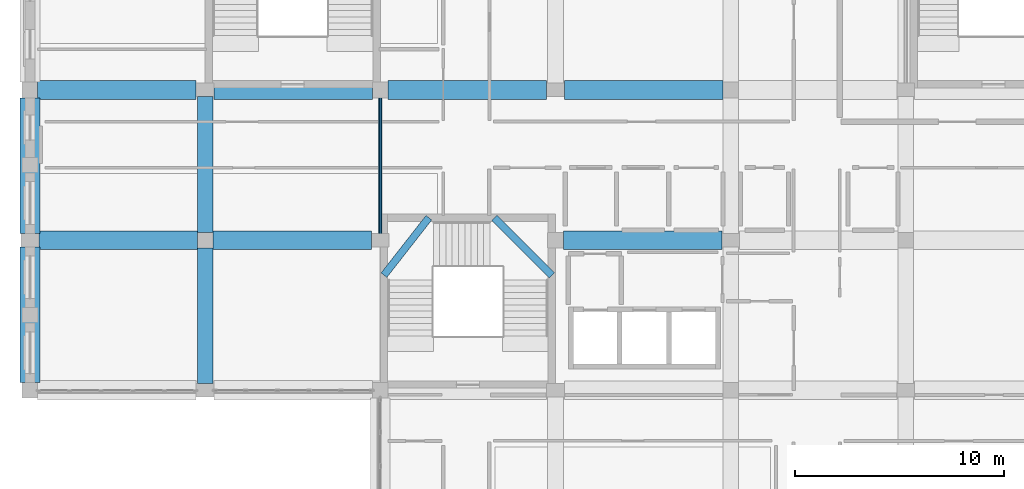
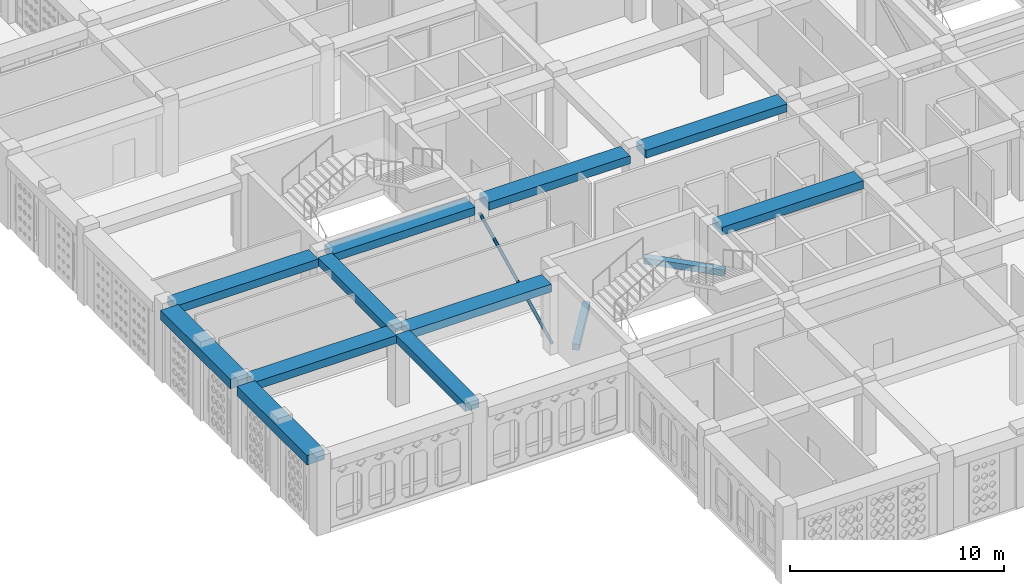
# One storey, part 6 of 100: 13 beams, 1 member.
"""IFC4 building model written with IfcOpenShell, lengths in metres."""

from ifc_helpers import new_model, si_unit, derived_unit, direction, frame, origin, origin_2d, place, context, subcontext, project, spatial, rectangle, hollow_circle, extrude, material, material_profile, profile_set, type_object, element, save


model = new_model("IFC4")

# Units and contexts
model_context = context("Model", 3, precision=1e-05, world=origin(), true_north=direction((0.0, 1.0)))
body_context = subcontext(model_context, "Body", "Model", "MODEL_VIEW")
ifc_project = project(units=[si_unit("LENGTHUNIT", "METRE"), si_unit("AREAUNIT", "SQUARE_METRE"), si_unit("VOLUMEUNIT", "CUBIC_METRE"), si_unit("PLANEANGLEUNIT", "RADIAN"), si_unit("MASSUNIT", "GRAM", prefix="KILO"), derived_unit("THERMALTRANSMITTANCEUNIT", [(si_unit("POWERUNIT", "WATT"), 1), (si_unit("LENGTHUNIT", "METRE"), -2), (si_unit("THERMODYNAMICTEMPERATUREUNIT", "KELVIN"), -1)])], contexts=[model_context])

# Site, building, storey
site_placement = place(None, origin())
site = spatial("IfcSite", under=ifc_project, at=site_placement, CompositionType="ELEMENT")
building_placement = place(site_placement, origin())
building = spatial("IfcBuilding", under=site, at=building_placement, Name="Veybourne Emporium", CompositionType="ELEMENT")
storey_placement = place(building_placement, frame((0.0, 0.0, 14.39990234375)))
storey = spatial("IfcBuildingStorey", under=building, at=storey_placement, Name="L03", CompositionType="ELEMENT", Elevation=14.39990234375)

# Beams
ifc_material_1 = material(Name="Concrete C32/40", Category="concrete")
ifc_material_profile_1 = material_profile(ifc_material_1, rectangle(XDim=0.35009765625, YDim=0.35009765625, at=origin_2d()), Name="RC 350x350")
ifc_profile_set_1 = profile_set([ifc_material_profile_1], Name="Concrete C32/40")
beam_type_1 = type_object("IfcBeamType", Name="LandingBeam_LB-01", PredefinedType="BEAM", material=ifc_profile_set_1)
beam_1_placement = place(storey_placement, frame((16.97509765625, 19.919921875, 1.125), z_axis=(0.616059796619, 0.78769938872, 0.0), x_axis=(-0.78769938872, 0.616059796619, 0.0)))
element("IfcBeam", 1, at=beam_1_placement, inside=storey, type_object=beam_type_1, Name="L03 ST-01 landing 1 support beam", PredefinedType="BEAM", context=body_context, shape_type="SweptSolid", body=[
    extrude(rectangle(XDim=0.35009765625, YDim=0.35009765625, at=origin_2d()), origin(), (0.0, 0.0, 1.0), 3.497802734375),
])
beam_2_placement = place(storey_placement, frame((22.27001953125, 22.675048828125, 2.625), z_axis=(0.707075449606, -0.707138111379, 0.0), x_axis=(0.707138111379, 0.707075449606, 0.0)))
element("IfcBeam", 2, at=beam_2_placement, inside=storey, type_object=beam_type_1, Name="L03 ST-01 landing 2 support beam", PredefinedType="BEAM", context=body_context, shape_type="SweptSolid", body=[
    extrude(rectangle(XDim=0.35009765625, YDim=0.35009765625, at=origin_2d()), origin(), (0.0, 0.0, 1.0), 3.896240234375),
])
ifc_material_profile_2 = material_profile(ifc_material_1, rectangle(XDim=0.89990234375, YDim=0.449951171875, at=origin_2d()), Name="RC 900x450")
ifc_profile_set_2 = profile_set([ifc_material_profile_2], Name="Concrete C32/40")
beam_type_2 = type_object("IfcBeamType", Name="RCBeam_BB-03", PredefinedType="BEAM", material=ifc_profile_set_2)
beam_3_placement = place(storey_placement, frame((0.425048828125, 21.60009765625, 3.955078125), z_axis=(1.0, 0.0, 0.0), x_axis=(0.0, 1.0, 0.0)))
element("IfcBeam", 3, at=beam_3_placement, inside=storey, type_object=beam_type_2, Name="L03 X-grid beam BB-03 (0,3)", PredefinedType="BEAM", context=body_context, shape_type="SweptSolid", body=[
    extrude(rectangle(XDim=0.89990234375, YDim=0.449951171875, at=origin_2d()), origin(), (0.0, 0.0, 1.0), 7.599853515625),
])
for number, where, z_axis, x_axis, name in (
    (4, (0.375, 28.800048828125, 3.955078125), (1.0, 0.0, 0.0), (0.0, 1.0, 0.0), "L03 X-grid beam BB-03 (0,4)"),
    (5, (8.77490234375, 21.60009765625, 3.955078125), (1.0, 0.0, 0.0), (0.0, 1.0, 0.0), "L03 X-grid beam BB-03 (1,3)"),
    (6, (8.824951171875, 28.800048828125, 3.955078125), (1.0, 0.0, 0.0), (0.0, 1.0, 0.0), "L03 X-grid beam BB-03 (1,4)"),
):
    element("IfcBeam", number, at=place(storey_placement, frame(where, z_axis=z_axis, x_axis=x_axis)), inside=storey, type_object=beam_type_2, Name=name, PredefinedType="BEAM", context=body_context, shape_type="SweptSolid", body=[
        extrude(rectangle(XDim=0.89990234375, YDim=0.449951171875, at=origin_2d()), origin(), (0.0, 0.0, 1.0), 7.60009765625),
    ])
beam_4_placement = place(storey_placement, frame((17.175048828125, 28.800048828125, 3.955078125), z_axis=(1.0, 0.0, 0.0), x_axis=(0.0, 1.0, 0.0)))
element("IfcBeam", 7, at=beam_4_placement, inside=storey, type_object=beam_type_2, Name="L03 X-grid beam BB-03 (2,4)", PredefinedType="BEAM", context=body_context, shape_type="SweptSolid", body=[
    extrude(rectangle(XDim=0.89990234375, YDim=0.449951171875, at=origin_2d()), origin(), (0.0, 0.0, 1.0), 7.599853515625),
])
for number, where, z_axis, x_axis, name in (
    (8, (25.574951171875, 21.60009765625, 3.955078125), (1.0, 0.0, 0.0), (0.0, 1.0, 0.0), "L03 X-grid beam BB-03 (3,3)"),
    (9, (25.625, 28.800048828125, 3.955078125), (1.0, 0.0, 0.0), (0.0, 1.0, 0.0), "L03 X-grid beam BB-03 (3,4)"),
):
    element("IfcBeam", number, at=place(storey_placement, frame(where, z_axis=z_axis, x_axis=x_axis)), inside=storey, type_object=beam_type_2, Name=name, PredefinedType="BEAM", context=body_context, shape_type="SweptSolid", body=[
        extrude(rectangle(XDim=0.89990234375, YDim=0.449951171875, at=origin_2d()), origin(), (0.0, 0.0, 1.0), 7.60009765625),
    ])
ifc_material_profile_3 = material_profile(ifc_material_1, rectangle(XDim=0.75, YDim=0.449951171875, at=origin_2d()), Name="RC 750x450")
ifc_profile_set_3 = profile_set([ifc_material_profile_3], Name="Concrete C32/40")
beam_type_3 = type_object("IfcBeamType", Name="RCBeam_BB-04", PredefinedType="BEAM", material=ifc_profile_set_3)
for number, where, z_axis, x_axis, name in (
    (10, (8.39990234375, 14.72509765625, 3.955078125), (0.0, 1.0, 0.0), (-1.0, 0.0, 0.0), "L03 Y-grid beam BB-04 (1,2)"),
    (11, (8.39990234375, 21.97509765625, 3.955078125), (0.0, 1.0, 0.0), (-1.0, 0.0, 0.0), "L03 Y-grid beam BB-04 (1,3)"),
):
    element("IfcBeam", number, at=place(storey_placement, frame(where, z_axis=z_axis, x_axis=x_axis)), inside=storey, type_object=beam_type_3, Name=name, PredefinedType="BEAM", context=body_context, shape_type="SweptSolid", body=[
        extrude(rectangle(XDim=0.75, YDim=0.449951171875, at=origin_2d()), origin(), (0.0, 0.0, 1.0), 6.5),
    ])
ifc_material_profile_4 = material_profile(ifc_material_1, rectangle(XDim=0.949951171875, YDim=0.550048828125, at=origin_2d()), Name="RC 950x550")
ifc_profile_set_4 = profile_set([ifc_material_profile_4], Name="Concrete C32/40")
beam_type_4 = type_object("IfcBeamType", Name="RCBeam_EB-01", PredefinedType="SPANDREL", material=ifc_profile_set_4)
for number, where, z_axis, x_axis, name in (
    (12, (0.0, 14.77490234375, 3.905029296875), (0.0, 1.0, 0.0), (-1.0, 0.0, 0.0), "L03 Y-grid beam EB-01 (0,2)"),
    (13, (0.0, 21.925048828125, 3.905029296875), (0.0, 1.0, 0.0), (-1.0, 0.0, 0.0), "L03 Y-grid beam EB-01 (0,3)"),
):
    element("IfcBeam", number, at=place(storey_placement, frame(where, z_axis=z_axis, x_axis=x_axis)), inside=storey, type_object=beam_type_4, Name=name, PredefinedType="SPANDREL", context=body_context, shape_type="SweptSolid", body=[
        extrude(rectangle(XDim=0.949951171875, YDim=0.550048828125, at=origin_2d()), origin(), (0.0, 0.0, 1.0), 6.5),
    ])

# Member
ifc_material_2 = material(Name="Steel S355", Category="steel")
ifc_material_profile_5 = material_profile(ifc_material_2, hollow_circle(Radius=0.084228515625, WallThickness=0.008056640625, at=origin_2d()), Name="CHS 168.3x8.0")
ifc_profile_set_5 = profile_set([ifc_material_profile_5], Name="Steel S355")
member_type = type_object("IfcMemberType", Name="SteelMem_DB-01", PredefinedType="BRACE", material=ifc_profile_set_5)
member_placement = place(storey_placement, frame((16.800048828125, 21.820068359375, 0.25), z_axis=(0.0, 0.897061623358, 0.441905469414), x_axis=(-1.0, 0.0, 0.0)))
element("IfcMember", 14, at=member_placement, inside=storey, type_object=member_type, Name="Internal lateral frame brace DB-01.09 (L03)", PredefinedType="BRACE", context=body_context, shape_type="SweptSolid", body=[
    extrude(hollow_circle(Radius=0.084228515625, WallThickness=0.008056640625, at=origin_2d()), origin(), (0.0, 0.0, 1.0), 7.53564453125),
])

save(model, "model.ifc")
